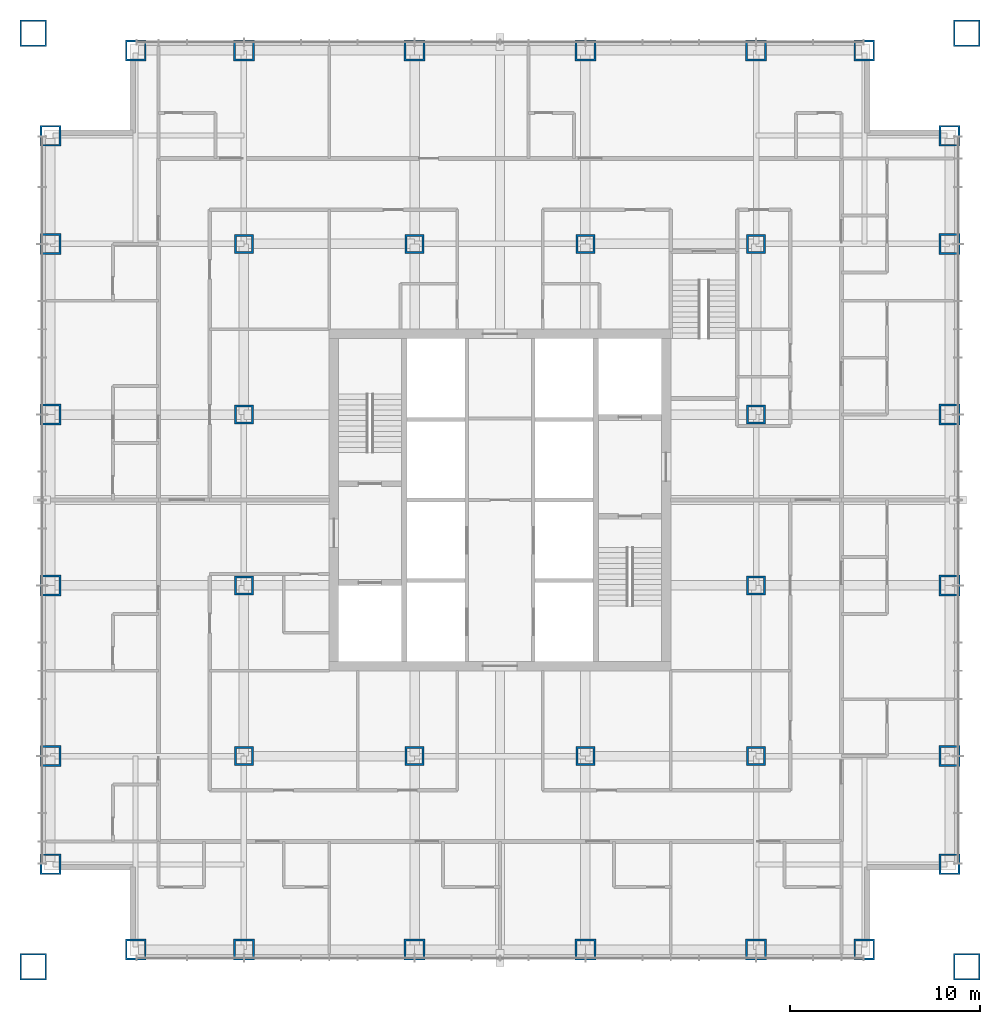
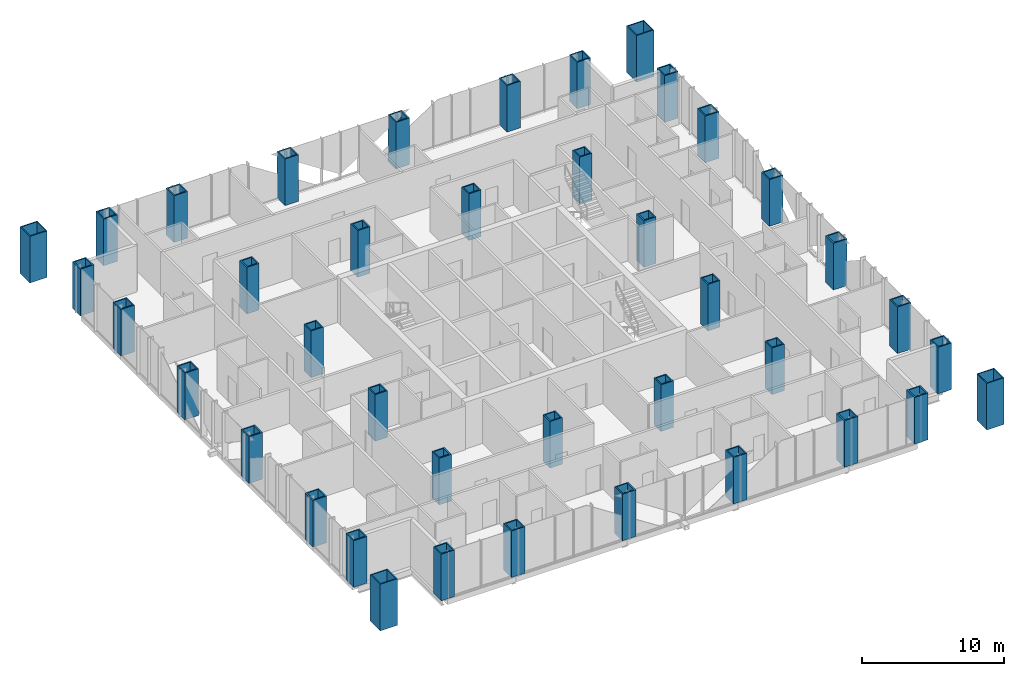
# One storey, part 1 of 13: 40 columns.
"""IFC4 building model written with IfcOpenShell, lengths in metres."""

from ifc_helpers import new_model, si_unit, direction, frame, origin, origin_2d, place, context, subcontext, project, spatial, hollow_rectangle, extrude, material, material_profile, profile_set, type_object, element, save


model = new_model("IFC4")

# Units and contexts
model_context = context("Model", 3, precision=1e-05, world=origin(), true_north=direction((0.0, 1.0)))
body_context = subcontext(model_context, "Body", "Model", "MODEL_VIEW")
ifc_project = project(units=[si_unit("LENGTHUNIT", "METRE"), si_unit("AREAUNIT", "SQUARE_METRE"), si_unit("VOLUMEUNIT", "CUBIC_METRE"), si_unit("PLANEANGLEUNIT", "RADIAN"), si_unit("MASSUNIT", "GRAM", prefix="KILO")], contexts=[model_context])

# Site, building, storey
site_placement = place(None, origin())
site = spatial("IfcSite", under=ifc_project, at=site_placement, CompositionType="ELEMENT")
building_placement = place(site_placement, origin())
building = spatial("IfcBuilding", under=site, at=building_placement, Name="Malebo Sky Hospital", CompositionType="ELEMENT")
storey_placement = place(building_placement, frame((0.0, 0.0, 156.0)))
storey = spatial("IfcBuildingStorey", under=building, at=storey_placement, Name="L37", CompositionType="ELEMENT", Elevation=156.0)

# Columns
ifc_material = material(Name="Steel S460", Category="steel")
ifc_material_profile_1 = material_profile(ifc_material, hollow_rectangle(XDim=1.0, YDim=1.0, WallThickness=0.10009765625, at=origin_2d()), Name="BOX 1000x1000x100")
ifc_profile_set_1 = profile_set([ifc_material_profile_1], Name="Steel S460")
column_type_1 = type_object("IfcColumnType", Name="INNER COLUMN BOX 1000x1000x100", PredefinedType="COLUMN", material=ifc_profile_set_1)
for number, where, z_axis, x_axis, name in (
    (1, (46.5, 48.5, 0.0), (0.0, 0.0, 1.0), (1.0, 0.0, 0.0), "Column IC9 L37"),
    (2, (73.5, 48.5, 0.0), (0.0, 0.0, 1.0), (1.0, 0.0, 0.0), "Column IC9 L37"),
    (3, (73.5, 75.5, 0.0), (0.0, 0.0, 1.0), (1.0, 0.0, 0.0), "Column IC9 L37"),
    (4, (46.5, 75.5, 0.0), (0.0, 0.0, 1.0), (1.0, 0.0, 0.0), "Column IC9 L37"),
    (5, (55.5, 48.5, 0.0), (0.0, 0.0, 1.0), (1.0, 0.0, 0.0), "Column IC9 L37"),
    (6, (64.5, 48.5, 0.0), (0.0, 0.0, 1.0), (1.0, 0.0, 0.0), "Column IC9 L37"),
    (7, (55.5, 75.5, 0.0), (0.0, 0.0, 1.0), (1.0, 0.0, 0.0), "Column IC9 L37"),
    (8, (64.5, 75.5, 0.0), (0.0, 0.0, 1.0), (1.0, 0.0, 0.0), "Column IC9 L37"),
    (9, (46.5, 57.5, 0.0), (0.0, 0.0, 1.0), (1.0, 0.0, 0.0), "Column IC9 L37"),
    (10, (46.5, 66.5, 0.0), (0.0, 0.0, 1.0), (1.0, 0.0, 0.0), "Column IC9 L37"),
    (11, (73.5, 57.5, 0.0), (0.0, 0.0, 1.0), (1.0, 0.0, 0.0), "Column IC9 L37"),
    (12, (73.5, 66.5, 0.0), (0.0, 0.0, 1.0), (1.0, 0.0, 0.0), "Column IC9 L37"),
):
    element("IfcColumn", number, at=place(storey_placement, frame(where, z_axis=z_axis, x_axis=x_axis)), inside=storey, type_object=column_type_1, Name=name, PredefinedType="COLUMN", context=body_context, shape_type="SweptSolid", body=[
        extrude(hollow_rectangle(XDim=1.0, YDim=1.0, WallThickness=0.10009765625, at=origin_2d()), origin(), (0.0, 0.0, 1.0), 4.0),
    ])
ifc_material_profile_2 = material_profile(ifc_material, hollow_rectangle(XDim=1.39990234375, YDim=1.39990234375, WallThickness=0.080078125, at=origin_2d()), Name="BOX 1400x1400x80")
ifc_profile_set_2 = profile_set([ifc_material_profile_2], Name="Steel S460")
column_type_2 = type_object("IfcColumnType", Name="MEGA COLUMN BOX 1400x1400x80", PredefinedType="COLUMN", material=ifc_profile_set_2)
for number, where, z_axis, x_axis, name in (
    (13, (35.39990234375, 37.39990234375, 0.0), (0.0, 0.0, 1.0), (1.0, 0.0, 0.0), "Mega column SW L37"),
    (14, (84.60009765625, 37.39990234375, 0.0), (0.0, 0.0, 1.0), (1.0, 0.0, 0.0), "Mega column SE L37"),
    (15, (84.60009765625, 86.60009765625, 0.0), (0.0, 0.0, 1.0), (1.0, 0.0, 0.0), "Mega column NE L37"),
    (16, (35.39990234375, 86.60009765625, 0.0), (0.0, 0.0, 1.0), (1.0, 0.0, 0.0), "Mega column NW L37"),
):
    element("IfcColumn", number, at=place(storey_placement, frame(where, z_axis=z_axis, x_axis=x_axis)), inside=storey, type_object=column_type_2, Name=name, PredefinedType="COLUMN", context=body_context, shape_type="SweptSolid", body=[
        extrude(hollow_rectangle(XDim=1.39990234375, YDim=1.39990234375, WallThickness=0.080078125, at=origin_2d()), origin(), (0.0, 0.0, 1.0), 4.0),
    ])
ifc_material_profile_3 = material_profile(ifc_material, hollow_rectangle(XDim=1.10009765625, YDim=1.10009765625, WallThickness=0.10009765625, at=origin_2d()), Name="BOX 1100x1100x100")
ifc_profile_set_3 = profile_set([ifc_material_profile_3], Name="Steel S460")
column_type_3 = type_object("IfcColumnType", Name="PERIMETER COLUMN BOX 1100x1100x100", PredefinedType="COLUMN", material=ifc_profile_set_3)
for number, where, z_axis, x_axis, name in (
    (17, (40.800048828125, 38.300048828125, 0.0), (0.0, 0.0, 1.0), (1.0, 0.0, 0.0), "Column PC10 L37"),
    (18, (40.800048828125, 85.699951171875, 0.0), (0.0, 0.0, 1.0), (1.0, 0.0, 0.0), "Column PC10 L37"),
    (19, (36.300048828125, 42.800048828125, 0.0), (0.0, 0.0, 1.0), (1.0, 0.0, 0.0), "Column PC10 L37"),
    (20, (83.699951171875, 42.800048828125, 0.0), (0.0, 0.0, 1.0), (1.0, 0.0, 0.0), "Column PC10 L37"),
    (21, (46.5, 38.300048828125, 0.0), (0.0, 0.0, 1.0), (1.0, 0.0, 0.0), "Column PC10 L37"),
    (22, (46.5, 85.699951171875, 0.0), (0.0, 0.0, 1.0), (1.0, 0.0, 0.0), "Column PC10 L37"),
    (23, (36.300048828125, 48.5, 0.0), (0.0, 0.0, 1.0), (1.0, 0.0, 0.0), "Column PC10 L37"),
    (24, (83.699951171875, 48.5, 0.0), (0.0, 0.0, 1.0), (1.0, 0.0, 0.0), "Column PC10 L37"),
    (25, (55.5, 38.300048828125, 0.0), (0.0, 0.0, 1.0), (1.0, 0.0, 0.0), "Column PC10 L37"),
    (26, (55.5, 85.699951171875, 0.0), (0.0, 0.0, 1.0), (1.0, 0.0, 0.0), "Column PC10 L37"),
    (27, (36.300048828125, 57.5, 0.0), (0.0, 0.0, 1.0), (1.0, 0.0, 0.0), "Column PC10 L37"),
    (28, (83.699951171875, 57.5, 0.0), (0.0, 0.0, 1.0), (1.0, 0.0, 0.0), "Column PC10 L37"),
    (29, (64.5, 38.300048828125, 0.0), (0.0, 0.0, 1.0), (1.0, 0.0, 0.0), "Column PC10 L37"),
    (30, (64.5, 85.699951171875, 0.0), (0.0, 0.0, 1.0), (1.0, 0.0, 0.0), "Column PC10 L37"),
    (31, (36.300048828125, 66.5, 0.0), (0.0, 0.0, 1.0), (1.0, 0.0, 0.0), "Column PC10 L37"),
    (32, (83.699951171875, 66.5, 0.0), (0.0, 0.0, 1.0), (1.0, 0.0, 0.0), "Column PC10 L37"),
    (33, (73.5, 38.300048828125, 0.0), (0.0, 0.0, 1.0), (1.0, 0.0, 0.0), "Column PC10 L37"),
    (34, (73.5, 85.699951171875, 0.0), (0.0, 0.0, 1.0), (1.0, 0.0, 0.0), "Column PC10 L37"),
    (35, (36.300048828125, 75.5, 0.0), (0.0, 0.0, 1.0), (1.0, 0.0, 0.0), "Column PC10 L37"),
    (36, (83.699951171875, 75.5, 0.0), (0.0, 0.0, 1.0), (1.0, 0.0, 0.0), "Column PC10 L37"),
    (37, (79.199951171875, 38.300048828125, 0.0), (0.0, 0.0, 1.0), (1.0, 0.0, 0.0), "Column PC10 L37"),
    (38, (79.199951171875, 85.699951171875, 0.0), (0.0, 0.0, 1.0), (1.0, 0.0, 0.0), "Column PC10 L37"),
    (39, (36.300048828125, 81.199951171875, 0.0), (0.0, 0.0, 1.0), (1.0, 0.0, 0.0), "Column PC10 L37"),
    (40, (83.699951171875, 81.199951171875, 0.0), (0.0, 0.0, 1.0), (1.0, 0.0, 0.0), "Column PC10 L37"),
):
    element("IfcColumn", number, at=place(storey_placement, frame(where, z_axis=z_axis, x_axis=x_axis)), inside=storey, type_object=column_type_3, Name=name, PredefinedType="COLUMN", context=body_context, shape_type="SweptSolid", body=[
        extrude(hollow_rectangle(XDim=1.10009765625, YDim=1.10009765625, WallThickness=0.10009765625, at=origin_2d()), origin(), (0.0, 0.0, 1.0), 4.0),
    ])

save(model, "model.ifc")
